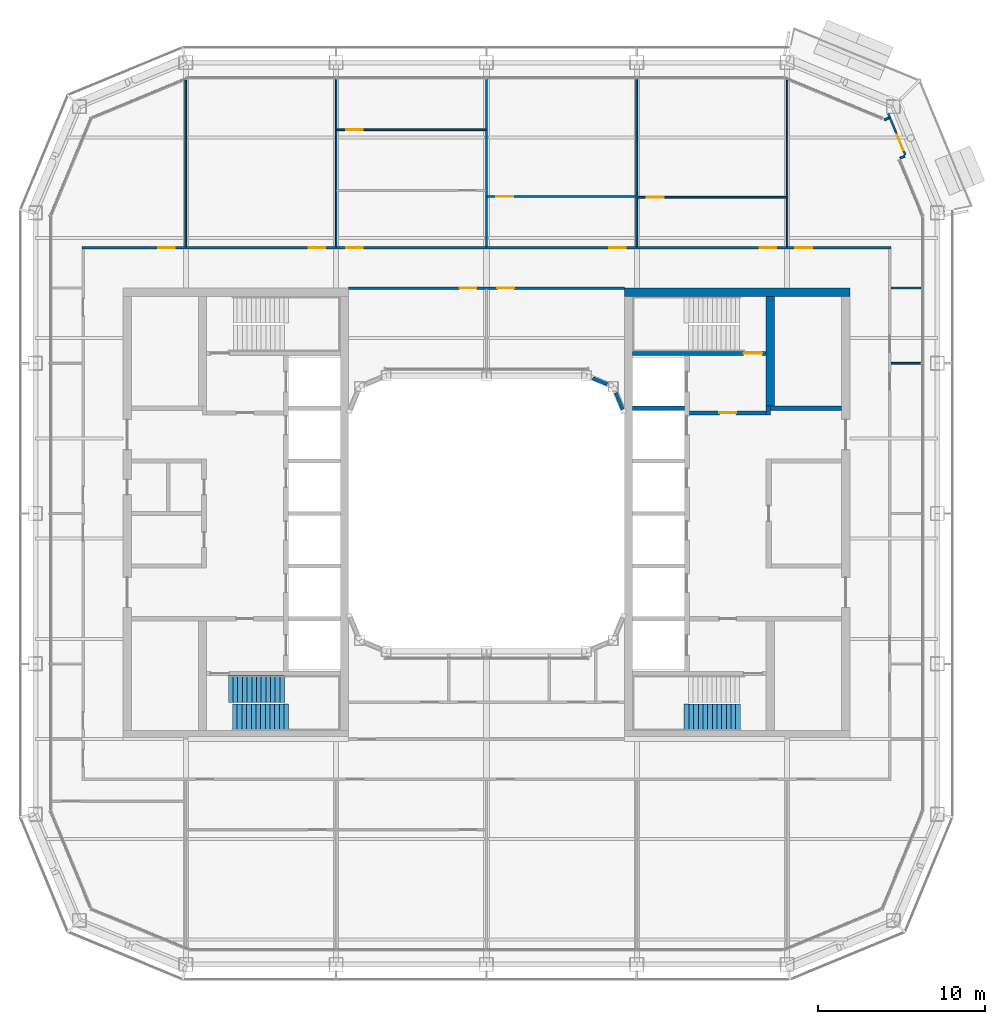
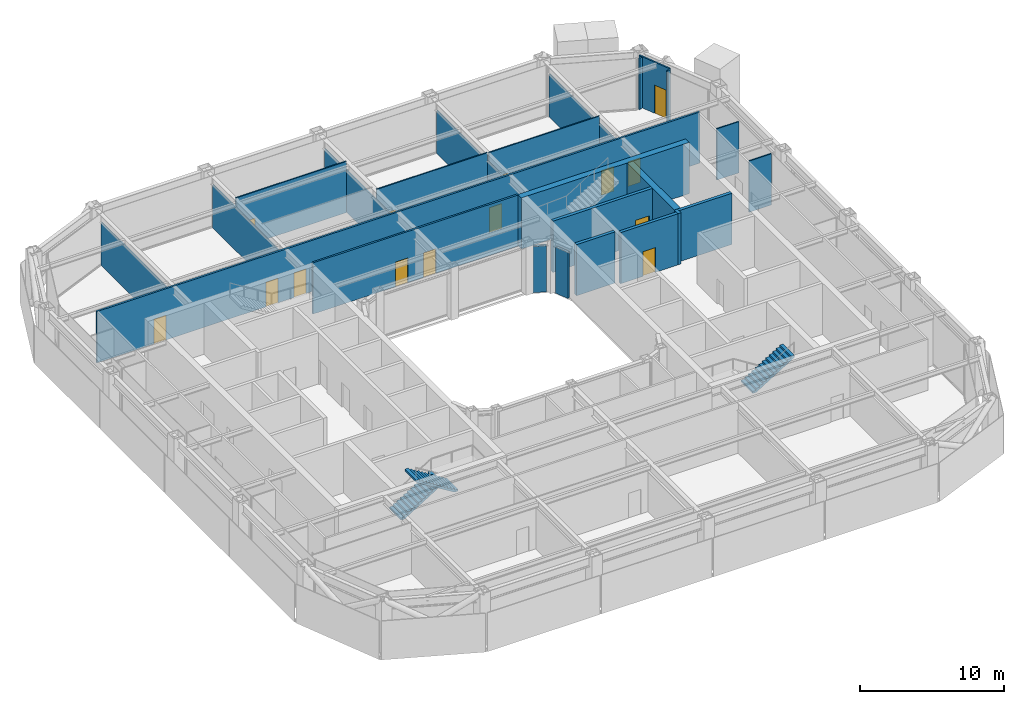
# One storey, part 15 of 23: 24 walls, 14 doors, 3 stair flights, 14 openings, 2 elements without a shape of their own.
"""IFC4 building model written with IfcOpenShell, lengths in metres."""

from ifc_helpers import new_model, si_unit, direction, frame, frame_2d, origin, place, context, subcontext, project, spatial, polyline, rectangle, outline, extrude, material, layer, layer_set, type_object, element, fill, aggregate, save


model = new_model("IFC4")

# Units and contexts
model_context = context("Model", 3, precision=1e-05, world=origin(), true_north=direction((0.0, 1.0)))
body_context = subcontext(model_context, "Body", "Model", "MODEL_VIEW")
ifc_project = project(units=[si_unit("LENGTHUNIT", "METRE"), si_unit("AREAUNIT", "SQUARE_METRE"), si_unit("VOLUMEUNIT", "CUBIC_METRE"), si_unit("PLANEANGLEUNIT", "RADIAN"), si_unit("MASSUNIT", "GRAM", prefix="KILO")], contexts=[model_context])

# Site, building, storey
site_placement = place(None, origin())
site = spatial("IfcSite", under=ifc_project, at=site_placement, CompositionType="ELEMENT")
building_placement = place(site_placement, origin())
building = spatial("IfcBuilding", under=site, at=building_placement, Name="Siwar Civic Tower", CompositionType="ELEMENT")
storey_placement = place(building_placement, frame((0.0, 0.0, 206.199951171875)))
storey = spatial("IfcBuildingStorey", under=building, at=storey_placement, Name="L44", CompositionType="ELEMENT", Elevation=206.199951171875)

# Wall, opening, door
ifc_material_1 = material(Name="Concrete C60/75", Category="concrete")
ifc_layer_1 = layer(ifc_material_1, 0.25)
ifc_layer_set_1 = layer_set([ifc_layer_1], Name="Concrete C60/75")
wall_type_1 = type_object("IfcWallType", Name="CORE-WALL-RC250", PredefinedType="SHEAR", material=ifc_layer_set_1)
wall_1_placement = place(storey_placement, frame((12.14990234375, 6.02490234375, 0.0), z_axis=(0.0, 0.0, 1.0), x_axis=(1.0, 0.0, 0.0)))
wall_1 = element("IfcWall", 1, at=wall_1_placement, inside=storey, type_object=wall_type_1, Name="Core wall E", PredefinedType="SHEAR", context=body_context, shape_type="SweptSolid", body=[
    extrude(rectangle(XDim=4.60009765625, YDim=0.25, at=frame_2d((2.300048828125, 0.0))), origin(), (0.0, 0.0, 1.0), 4.35009765625),
])
opening_1_placement = place(wall_1_placement, frame((1.800048828125, 0.0, 0.0)))
opening_1 = element("IfcOpeningElement", 2, at=opening_1_placement, cuts=wall_1, Name="Opening L44-CE01", PredefinedType="OPENING", context=body_context, shape_type="SweptSolid", body=[
    extrude(rectangle(XDim=1.0, YDim=2.10009765625, at=frame_2d((0.5, 1.050048828125))), frame((0.0, 0.135009765625, 0.0), z_axis=(0.0, -1.0, 0.0), x_axis=(1.0, 0.0, 0.0)), (0.0, 0.0, 1.0), 0.27001953125),
])
ifc_material_2 = material(Name="Steel door leaf", Category="steel")
door_type_1 = type_object("IfcDoorType", Name="CORE-DOOR-FD30S", OperationType="SINGLE_SWING_LEFT", PredefinedType="DOOR", material=ifc_material_2)
door_1_placement = place(opening_1_placement, origin())
door_1 = element("IfcDoor", 3, at=door_1_placement, inside=storey, type_object=door_type_1, Name="Firefighting lobby door L44-CE01", OperationType="SINGLE_SWING_RIGHT", OverallHeight=2.10009765625, OverallWidth=1.0, PredefinedType="DOOR", context=body_context, shape_type="SweptSolid", body=[
    extrude(rectangle(XDim=1.0, YDim=2.10009765625, at=frame_2d((0.5, 1.050048828125))), frame((0.0, 0.02490234375, 0.0), z_axis=(0.0, -1.0, 0.0), x_axis=(1.0, 0.0, 0.0)), (0.0, 0.0, 1.0), 0.050048828125),
])
fill(opening_1, door_1)

# Walls
wall_2_placement = place(storey_placement, frame((16.875, 5.89990234375, 0.0), z_axis=(0.0, 0.0, 1.0), x_axis=(0.0, 1.0, 0.0)))
element("IfcWall", 4, at=wall_2_placement, inside=storey, type_object=wall_type_1, Name="Core wall E", PredefinedType="SHEAR", context=body_context, shape_type="SweptSolid", body=[
    extrude(rectangle(XDim=0.525146484375, YDim=0.25, at=frame_2d((0.2626953125, 0.0))), origin(), (0.0, 0.0, 1.0), 4.35009765625),
])
wall_3_placement = place(storey_placement, frame((17.0, 6.300048828125, 0.0), z_axis=(0.0, 0.0, 1.0), x_axis=(1.0, 0.0, 0.0)))
element("IfcWall", 5, at=wall_3_placement, inside=storey, type_object=wall_type_1, Name="Core wall E", PredefinedType="SHEAR", context=body_context, shape_type="SweptSolid", body=[
    extrude(rectangle(XDim=4.25, YDim=0.25, at=frame_2d((2.125, 0.0))), origin(), (0.0, 0.0, 1.0), 4.35009765625),
])
wall_4_placement = place(storey_placement, frame((8.75, 6.300048828125, 0.0), z_axis=(0.0, 0.0, 1.0), x_axis=(1.0, 0.0, 0.0)))
element("IfcWall", 6, at=wall_4_placement, inside=storey, type_object=wall_type_1, Name="Core wall E", PredefinedType="SHEAR", context=body_context, shape_type="SweptSolid", body=[
    extrude(rectangle(XDim=3.10009765625, YDim=0.25, at=frame_2d((1.550048828125, 0.0))), origin(), (0.0, 0.0, 1.0), 4.35009765625),
])

# Wall, opening, door
wall_5_placement = place(storey_placement, frame((8.75, 9.574951171875, 0.0), z_axis=(0.0, 0.0, 1.0), x_axis=(1.0, 0.0, 0.0)))
wall_5 = element("IfcWall", 7, at=wall_5_placement, inside=storey, type_object=wall_type_1, Name="Core wall E", PredefinedType="SHEAR", context=body_context, shape_type="SweptSolid", body=[
    extrude(rectangle(XDim=8.0, YDim=0.25, at=frame_2d((4.0, 0.0))), origin(), (0.0, 0.0, 1.0), 4.35009765625),
])
opening_2_placement = place(wall_5_placement, frame((6.64990234375, 0.0, 0.0)))
opening_2 = element("IfcOpeningElement", 8, at=opening_2_placement, cuts=wall_5, Name="Opening L44-CE03", PredefinedType="OPENING", context=body_context, shape_type="SweptSolid", body=[
    extrude(rectangle(XDim=1.10009765625, YDim=2.10009765625, at=frame_2d((0.550048828125, 1.050048828125))), frame((0.0, 0.135009765625, 0.0), z_axis=(0.0, -1.0, 0.0), x_axis=(1.0, 0.0, 0.0)), (0.0, 0.0, 1.0), 0.27001953125),
])
ifc_material_3 = material(Name="Steel door leaf", Category="steel")
door_type_2 = type_object("IfcDoorType", Name="CORE-DOOR-FD60S", OperationType="SINGLE_SWING_LEFT", PredefinedType="DOOR", material=ifc_material_3)
door_2_placement = place(opening_2_placement, origin())
door_2 = element("IfcDoor", 9, at=door_2_placement, inside=storey, type_object=door_type_2, Name="Stair door L44-CE03", OperationType="SINGLE_SWING_LEFT", OverallHeight=2.10009765625, OverallWidth=1.10009765625, PredefinedType="DOOR", context=body_context, shape_type="SweptSolid", body=[
    extrude(rectangle(XDim=1.10009765625, YDim=2.10009765625, at=frame_2d((0.550048828125, 1.050048828125))), frame((0.0, 0.02490234375, 0.0), z_axis=(0.0, -1.0, 0.0), x_axis=(1.0, 0.0, 0.0)), (0.0, 0.0, 1.0), 0.050048828125),
])
fill(opening_2, door_2)

# Walls
ifc_material_4 = material(Name="Concrete C60/75", Category="concrete")
ifc_layer_2 = layer(ifc_material_4, 0.5)
ifc_layer_set_2 = layer_set([ifc_layer_2], Name="Concrete C60/75")
wall_type_2 = type_object("IfcWallType", Name="CORE-WALL-RC500", PredefinedType="SHEAR", material=ifc_layer_set_2)
wall_6_placement = place(storey_placement, frame((17.0, 6.425048828125, 0.0), z_axis=(0.0, 0.0, 1.0), x_axis=(0.0, 1.0, 0.0)))
element("IfcWall", 10, at=wall_6_placement, inside=storey, type_object=wall_type_2, Name="Core wall E", PredefinedType="SHEAR", context=body_context, shape_type="SweptSolid", body=[
    extrude(rectangle(XDim=6.574951171875, YDim=0.5, at=frame_2d((3.28759765625, 0.0))), origin(), (0.0, 0.0, 1.0), 4.35009765625),
])
wall_7_placement = place(storey_placement, frame((8.25, 13.25, 0.0), z_axis=(0.0, 0.0, 1.0), x_axis=(1.0, 0.0, 0.0)))
element("IfcWall", 11, at=wall_7_placement, inside=storey, type_object=wall_type_2, Name="Core wall E", PredefinedType="SHEAR", context=body_context, shape_type="SweptSolid", body=[
    extrude(rectangle(XDim=13.5, YDim=0.5, at=frame_2d((6.75, 0.0))), origin(), (0.0, 0.0, 1.0), 4.35009765625),
])

# Wall, openings, doors
ifc_material_5 = material(Name="Gypsum board on steel studs", Category="steel")
ifc_layer_3 = layer(ifc_material_5, 0.14990234375)
ifc_layer_set_3 = layer_set([ifc_layer_3], Name="Gypsum board on steel studs")
wall_type_3 = type_object("IfcWallType", Name="CORRIDOR PARTITION 150 EI 30", PredefinedType="PARTITIONING", material=ifc_layer_set_3)
wall_8_placement = place(storey_placement, frame((-8.25, 13.5, 0.0), z_axis=(0.0, 0.0, 1.0), x_axis=(1.0, 0.0, 0.0)))
wall_8 = element("IfcWall", 12, at=wall_8_placement, inside=storey, type_object=wall_type_3, Name="L44/wall/P17", PredefinedType="PARTITIONING", context=body_context, shape_type="SweptSolid", body=[
    extrude(rectangle(XDim=16.5, YDim=0.14990234375, at=frame_2d((8.25, 0.0))), origin(), (0.0, 0.0, 1.0), 4.35009765625),
])
opening_3_placement = place(wall_8_placement, frame((6.64990234375, 0.0, 0.0)))
opening_3 = element("IfcOpeningElement", 13, at=opening_3_placement, cuts=wall_8, Name="Opening D1", PredefinedType="OPENING", context=body_context, shape_type="SweptSolid", body=[
    extrude(rectangle(XDim=1.0, YDim=2.10009765625, at=frame_2d((0.5, 1.050048828125))), frame((0.0, 0.0849609375, 0.0), z_axis=(0.0, -1.0, 0.0), x_axis=(1.0, 0.0, 0.0)), (0.0, 0.0, 1.0), 0.169921875),
])
opening_4_placement = place(wall_8_placement, frame((8.89990234375, 0.0, 0.0)))
opening_4 = element("IfcOpeningElement", 14, at=opening_4_placement, cuts=wall_8, Name="Opening D1", PredefinedType="OPENING", context=body_context, shape_type="SweptSolid", body=[
    extrude(rectangle(XDim=1.0, YDim=2.10009765625, at=frame_2d((0.5, 1.050048828125))), frame((0.0, 0.0849609375, 0.0), z_axis=(0.0, -1.0, 0.0), x_axis=(1.0, 0.0, 0.0)), (0.0, 0.0, 1.0), 0.169921875),
])
ifc_material_6 = material(Name="Timber, painted", Category="wood")
door_type_3 = type_object("IfcDoorType", Name="DOOR 1000 X 2100 FD30", OperationType="SINGLE_SWING_LEFT", PredefinedType="DOOR", material=ifc_material_6)
door_3_placement = place(opening_3_placement, origin())
door_3 = element("IfcDoor", 15, at=door_3_placement, inside=storey, type_object=door_type_3, Name="L44-D28", OperationType="SINGLE_SWING_RIGHT", OverallHeight=2.10009765625, OverallWidth=1.0, PredefinedType="DOOR", context=body_context, shape_type="SweptSolid", body=[
    extrude(rectangle(XDim=1.0, YDim=2.10009765625, at=frame_2d((0.5, 1.050048828125))), frame((0.0, 0.02490234375, 0.0), z_axis=(0.0, -1.0, 0.0), x_axis=(1.0, 0.0, 0.0)), (0.0, 0.0, 1.0), 0.050048828125),
])
fill(opening_3, door_3)
door_4_placement = place(opening_4_placement, origin())
door_4 = element("IfcDoor", 16, at=door_4_placement, inside=storey, type_object=door_type_3, Name="L44-D29", OperationType="SINGLE_SWING_LEFT", OverallHeight=2.10009765625, OverallWidth=1.0, PredefinedType="DOOR", context=body_context, shape_type="SweptSolid", body=[
    extrude(rectangle(XDim=1.0, YDim=2.10009765625, at=frame_2d((0.5, 1.050048828125))), frame((0.0, 0.02490234375, 0.0), z_axis=(0.0, -1.0, 0.0), x_axis=(1.0, 0.0, 0.0)), (0.0, 0.0, 1.0), 0.050048828125),
])
fill(opening_4, door_4)

wall_9_placement = place(storey_placement, frame((-24.22509765625, 15.89990234375, 0.0), z_axis=(0.0, 0.0, 1.0), x_axis=(1.0, 0.0, 0.0)))
wall_9 = element("IfcWall", 17, at=wall_9_placement, inside=storey, type_object=wall_type_3, Name="L44/wall/P18", PredefinedType="PARTITIONING", context=body_context, shape_type="SweptSolid", body=[
    extrude(rectangle(XDim=48.4501953125, YDim=0.14990234375, at=frame_2d((24.22509765625, 0.0))), origin(), (0.0, 0.0, 1.0), 4.35009765625),
])
opening_5_placement = place(wall_9_placement, frame((13.574951171875, 0.0, 0.0)))
opening_5 = element("IfcOpeningElement", 18, at=opening_5_placement, cuts=wall_9, Name="Opening D1", PredefinedType="OPENING", context=body_context, shape_type="SweptSolid", body=[
    extrude(rectangle(XDim=1.0, YDim=2.10009765625, at=frame_2d((0.5, 1.050048828125))), frame((0.0, 0.0849609375, 0.0), z_axis=(0.0, -1.0, 0.0), x_axis=(1.0, 0.0, 0.0)), (0.0, 0.0, 1.0), 0.169921875),
])
opening_6_placement = place(wall_9_placement, frame((15.824951171875, 0.0, 0.0)))
opening_6 = element("IfcOpeningElement", 19, at=opening_6_placement, cuts=wall_9, Name="Opening D1", PredefinedType="OPENING", context=body_context, shape_type="SweptSolid", body=[
    extrude(rectangle(XDim=1.0, YDim=2.10009765625, at=frame_2d((0.5, 1.050048828125))), frame((0.0, 0.0849609375, 0.0), z_axis=(0.0, -1.0, 0.0), x_axis=(1.0, 0.0, 0.0)), (0.0, 0.0, 1.0), 0.169921875),
])
opening_7_placement = place(wall_9_placement, frame((31.574951171875, 0.0, 0.0)))
opening_7 = element("IfcOpeningElement", 20, at=opening_7_placement, cuts=wall_9, Name="Opening D1", PredefinedType="OPENING", context=body_context, shape_type="SweptSolid", body=[
    extrude(rectangle(XDim=1.0, YDim=2.10009765625, at=frame_2d((0.5, 1.050048828125))), frame((0.0, 0.0849609375, 0.0), z_axis=(0.0, -1.0, 0.0), x_axis=(1.0, 0.0, 0.0)), (0.0, 0.0, 1.0), 0.169921875),
])
opening_8_placement = place(wall_9_placement, frame((40.574951171875, 0.0, 0.0)))
opening_8 = element("IfcOpeningElement", 21, at=opening_8_placement, cuts=wall_9, Name="Opening D1", PredefinedType="OPENING", context=body_context, shape_type="SweptSolid", body=[
    extrude(rectangle(XDim=1.0, YDim=2.10009765625, at=frame_2d((0.5, 1.050048828125))), frame((0.0, 0.0849609375, 0.0), z_axis=(0.0, -1.0, 0.0), x_axis=(1.0, 0.0, 0.0)), (0.0, 0.0, 1.0), 0.169921875),
])
opening_9_placement = place(wall_9_placement, frame((4.574951171875, 0.0, 0.0)))
opening_9 = element("IfcOpeningElement", 22, at=opening_9_placement, cuts=wall_9, Name="Opening D1", PredefinedType="OPENING", context=body_context, shape_type="SweptSolid", body=[
    extrude(rectangle(XDim=1.0, YDim=2.10009765625, at=frame_2d((0.5, 1.050048828125))), frame((0.0, 0.0849609375, 0.0), z_axis=(0.0, -1.0, 0.0), x_axis=(1.0, 0.0, 0.0)), (0.0, 0.0, 1.0), 0.169921875),
])
opening_10_placement = place(wall_9_placement, frame((42.72509765625, 0.0, 0.0)))
opening_10 = element("IfcOpeningElement", 23, at=opening_10_placement, cuts=wall_9, Name="Opening D1", PredefinedType="OPENING", context=body_context, shape_type="SweptSolid", body=[
    extrude(rectangle(XDim=1.0, YDim=2.10009765625, at=frame_2d((0.5, 1.050048828125))), frame((0.0, 0.0849609375, 0.0), z_axis=(0.0, -1.0, 0.0), x_axis=(1.0, 0.0, 0.0)), (0.0, 0.0, 1.0), 0.169921875),
])
door_5_placement = place(opening_5_placement, origin())
door_5 = element("IfcDoor", 24, at=door_5_placement, inside=storey, type_object=door_type_3, Name="L44-D01", OperationType="SINGLE_SWING_LEFT", OverallHeight=2.10009765625, OverallWidth=1.0, PredefinedType="DOOR", context=body_context, shape_type="SweptSolid", body=[
    extrude(rectangle(XDim=1.0, YDim=2.10009765625, at=frame_2d((0.5, 1.050048828125))), frame((0.0, 0.02490234375, 0.0), z_axis=(0.0, -1.0, 0.0), x_axis=(1.0, 0.0, 0.0)), (0.0, 0.0, 1.0), 0.050048828125),
])
fill(opening_5, door_5)
door_6_placement = place(opening_6_placement, origin())
door_6 = element("IfcDoor", 25, at=door_6_placement, inside=storey, type_object=door_type_3, Name="L44-D02", OperationType="SINGLE_SWING_RIGHT", OverallHeight=2.10009765625, OverallWidth=1.0, PredefinedType="DOOR", context=body_context, shape_type="SweptSolid", body=[
    extrude(rectangle(XDim=1.0, YDim=2.10009765625, at=frame_2d((0.5, 1.050048828125))), frame((0.0, 0.02490234375, 0.0), z_axis=(0.0, -1.0, 0.0), x_axis=(1.0, 0.0, 0.0)), (0.0, 0.0, 1.0), 0.050048828125),
])
fill(opening_6, door_6)
door_7_placement = place(opening_7_placement, origin())
door_7 = element("IfcDoor", 26, at=door_7_placement, inside=storey, type_object=door_type_3, Name="L44-D05", OperationType="SINGLE_SWING_LEFT", OverallHeight=2.10009765625, OverallWidth=1.0, PredefinedType="DOOR", context=body_context, shape_type="SweptSolid", body=[
    extrude(rectangle(XDim=1.0, YDim=2.10009765625, at=frame_2d((0.5, 1.050048828125))), frame((0.0, 0.02490234375, 0.0), z_axis=(0.0, -1.0, 0.0), x_axis=(1.0, 0.0, 0.0)), (0.0, 0.0, 1.0), 0.050048828125),
])
fill(opening_7, door_7)
door_8_placement = place(opening_8_placement, origin())
door_8 = element("IfcDoor", 27, at=door_8_placement, inside=storey, type_object=door_type_3, Name="L44-D07", OperationType="SINGLE_SWING_LEFT", OverallHeight=2.10009765625, OverallWidth=1.0, PredefinedType="DOOR", context=body_context, shape_type="SweptSolid", body=[
    extrude(rectangle(XDim=1.0, YDim=2.10009765625, at=frame_2d((0.5, 1.050048828125))), frame((0.0, 0.02490234375, 0.0), z_axis=(0.0, -1.0, 0.0), x_axis=(1.0, 0.0, 0.0)), (0.0, 0.0, 1.0), 0.050048828125),
])
fill(opening_8, door_8)
door_9_placement = place(opening_9_placement, origin())
door_9 = element("IfcDoor", 28, at=door_9_placement, inside=storey, type_object=door_type_3, Name="L44-D15", OperationType="SINGLE_SWING_LEFT", OverallHeight=2.10009765625, OverallWidth=1.0, PredefinedType="DOOR", context=body_context, shape_type="SweptSolid", body=[
    extrude(rectangle(XDim=1.0, YDim=2.10009765625, at=frame_2d((0.5, 1.050048828125))), frame((0.0, 0.02490234375, 0.0), z_axis=(0.0, -1.0, 0.0), x_axis=(1.0, 0.0, 0.0)), (0.0, 0.0, 1.0), 0.050048828125),
])
fill(opening_9, door_9)
door_10_placement = place(opening_10_placement, origin())
door_10 = element("IfcDoor", 29, at=door_10_placement, inside=storey, type_object=door_type_3, Name="L44-D16", OperationType="SINGLE_SWING_RIGHT", OverallHeight=2.10009765625, OverallWidth=1.0, PredefinedType="DOOR", context=body_context, shape_type="SweptSolid", body=[
    extrude(rectangle(XDim=1.0, YDim=2.10009765625, at=frame_2d((0.5, 1.050048828125))), frame((0.0, 0.02490234375, 0.0), z_axis=(0.0, -1.0, 0.0), x_axis=(1.0, 0.0, 0.0)), (0.0, 0.0, 1.0), 0.050048828125),
])
fill(opening_10, door_10)

# Walls
ifc_material_7 = material(Name="Aluminium clad insulated panel", Category="aluminium")
ifc_layer_4 = layer(ifc_material_7, 0.1201171875)
ifc_layer_set_4 = layer_set([ifc_layer_4], Name="Aluminium clad insulated panel")
wall_type_4 = type_object("IfcWallType", Name="ENV-WALL-BAL", PredefinedType="STANDARD", material=ifc_layer_set_4)
wall_10_placement = place(storey_placement, frame((24.766357421875, 21.27587890625, 0.0), z_axis=(0.0, 0.0, 1.0), x_axis=(0.923917630863, 0.382591441855, 0.0)))
element("IfcWall", 30, at=wall_10_placement, inside=storey, type_object=wall_type_4, Name="Balcony door wall return NE1", PredefinedType="STANDARD", context=body_context, shape_type="SweptSolid", body=[
    extrude(rectangle(XDim=0.2998046875, YDim=0.1201171875, at=frame_2d((0.14990234375, 0.0))), origin(), (0.0, 0.0, 1.0), 4.35009765625),
])
wall_11_placement = place(storey_placement, frame((23.817626953125, 23.56640625, 0.0), z_axis=(0.0, 0.0, 1.0), x_axis=(0.923629715641, 0.383285987724, 0.0)))
element("IfcWall", 31, at=wall_11_placement, inside=storey, type_object=wall_type_4, Name="Balcony door wall return NE1", PredefinedType="STANDARD", context=body_context, shape_type="SweptSolid", body=[
    extrude(rectangle(XDim=0.300048828125, YDim=0.1201171875, at=frame_2d((0.14990234375, 0.0))), origin(), (0.0, 0.0, 1.0), 4.35009765625),
])

# Wall, opening, door
wall_12_placement = place(storey_placement, frame((25.075927734375, 21.468994140625, 0.0), z_axis=(0.0, 0.0, 1.0), x_axis=(-0.382636771556, 0.923898858671, 0.0)))
wall_12 = element("IfcWall", 32, at=wall_12_placement, inside=storey, type_object=wall_type_4, Name="Balcony door wall NE1", PredefinedType="STANDARD", context=body_context, shape_type="SweptSolid", body=[
    extrude(rectangle(XDim=2.67333984375, YDim=0.1201171875, at=frame_2d((1.336669921875, 0.0))), origin(), (0.0, 0.0, 1.0), 4.35009765625),
])
opening_11_placement = place(wall_12_placement, frame((0.300048828125, 0.0, 0.0)))
opening_11 = element("IfcOpeningElement", 33, at=opening_11_placement, cuts=wall_12, Name="Opening D-BAL", PredefinedType="OPENING", context=body_context, shape_type="SweptSolid", body=[
    extrude(rectangle(XDim=1.0, YDim=2.39990234375, at=frame_2d((0.5, 1.199951171875))), frame((0.0, 0.070068359375, 0.0), z_axis=(0.0, -1.0, 0.0), x_axis=(1.0, 0.0, 0.0)), (0.0, 0.0, 1.0), 0.14013671875),
])
ifc_material_8 = material(Name="Aluminium and glass", Category="aluminium")
door_type_4 = type_object("IfcDoorType", Name="ENV-DOOR-BAL", OperationType="SINGLE_SWING_LEFT", PredefinedType="DOOR", material=ifc_material_8)
door_11_placement = place(opening_11_placement, origin())
door_11 = element("IfcDoor", 34, at=door_11_placement, inside=storey, type_object=door_type_4, Name="Balcony door NE", OperationType="SINGLE_SWING_LEFT", OverallHeight=2.39990234375, OverallWidth=1.0, PredefinedType="DOOR", context=body_context, shape_type="SweptSolid", body=[
    extrude(rectangle(XDim=1.0, YDim=2.39990234375, at=frame_2d((0.5, 1.199951171875))), frame((0.0, 0.02490234375, 0.0), z_axis=(0.0, -1.0, 0.0), x_axis=(1.0, 0.0, 0.0)), (0.0, 0.0, 1.0), 0.050048828125),
])
fill(opening_11, door_11)

# Walls
ifc_material_9 = material(Name="Aluminium clad insulated panel", Category="aluminium")
ifc_layer_5 = layer(ifc_material_9, 0.199951171875)
ifc_layer_set_5 = layer_set([ifc_layer_5], Name="Aluminium clad insulated panel")
wall_type_5 = type_object("IfcWallType", Name="ENV-WALL-WELL", PredefinedType="STANDARD", material=ifc_layer_set_5)
wall_13_placement = place(storey_placement, frame((8.154296875, 6.23095703125, 0.0), z_axis=(0.0, 0.0, 1.0), x_axis=(-0.382704496366, 0.923870807235, 0.0)))
element("IfcWall", 35, at=wall_13_placement, inside=storey, type_object=wall_type_5, Name="Light well corner wall NE1", PredefinedType="STANDARD", context=body_context, shape_type="SweptSolid", body=[
    extrude(rectangle(XDim=1.080078125, YDim=0.199951171875, at=frame_2d((0.5400390625, 0.0))), origin(), (0.0, 0.0, 1.0), 3.91796875),
])
wall_14_placement = place(storey_placement, frame((7.228759765625, 7.740966796875, 0.0), z_axis=(0.0, 0.0, 1.0), x_axis=(-0.923829670615, 0.382803787458, 0.0)))
element("IfcWall", 36, at=wall_14_placement, inside=storey, type_object=wall_type_5, Name="Light well corner wall NE2", PredefinedType="STANDARD", context=body_context, shape_type="SweptSolid", body=[
    extrude(rectangle(XDim=0.938232421875, YDim=0.199951171875, at=frame_2d((0.46923828125, 0.0))), origin(), (0.0, 0.0, 1.0), 3.91796875),
])
ifc_material_10 = material(Name="Gypsum board on steel studs", Category="steel")
ifc_layer_6 = layer(ifc_material_10, 0.10009765625)
ifc_layer_set_6 = layer_set([ifc_layer_6], Name="Gypsum board on steel studs")
wall_type_6 = type_object("IfcWallType", Name="PARTITION 100 GYPSUM", PredefinedType="PARTITIONING", material=ifc_layer_set_6)
for number, where, z_axis, x_axis, name in (
    (37, (24.22509765625, 9.0, 0.0), (0.0, 0.0, 1.0), (1.0, 0.0, 0.0), "L44/wall/P14"),
    (38, (24.22509765625, 13.5, 0.0), (0.0, 0.0, 1.0), (1.0, 0.0, 0.0), "L44/wall/P16"),
):
    element("IfcWall", number, at=place(storey_placement, frame(where, z_axis=z_axis, x_axis=x_axis)), inside=storey, type_object=wall_type_6, Name=name, PredefinedType="PARTITIONING", context=body_context, shape_type="SweptSolid", body=[
        extrude(rectangle(XDim=1.784912109375, YDim=0.10009765625, at=frame_2d((0.892578125, 0.0))), origin(), (0.0, 0.0, 1.0), 4.35009765625),
    ])

# Wall, opening, door
wall_15_placement = place(storey_placement, frame((9.050048828125, 18.93310546875, 0.0), z_axis=(0.0, 0.0, 1.0), x_axis=(1.0, 0.0, 0.0)))
wall_15 = element("IfcWall", 39, at=wall_15_placement, inside=storey, type_object=wall_type_6, Name="L44/wall/P19", PredefinedType="PARTITIONING", context=body_context, shape_type="SweptSolid", body=[
    extrude(rectangle(XDim=8.89990234375, YDim=0.10009765625, at=frame_2d((4.449951171875, 0.0))), origin(), (0.0, 0.0, 1.0), 4.35009765625),
])
opening_12_placement = place(wall_15_placement, frame((0.550048828125, 0.0, 0.0)))
opening_12 = element("IfcOpeningElement", 40, at=opening_12_placement, cuts=wall_15, Name="Opening D2", PredefinedType="OPENING", context=body_context, shape_type="SweptSolid", body=[
    extrude(rectangle(XDim=1.0, YDim=2.10009765625, at=frame_2d((0.5, 1.050048828125))), frame((0.0, 0.06005859375, 0.0), z_axis=(0.0, -1.0, 0.0), x_axis=(1.0, 0.0, 0.0)), (0.0, 0.0, 1.0), 0.1201171875),
])
ifc_material_11 = material(Name="Timber, painted", Category="wood")
door_type_5 = type_object("IfcDoorType", Name="DOOR 1000 X 2100", OperationType="SINGLE_SWING_LEFT", PredefinedType="DOOR", material=ifc_material_11)
door_12_placement = place(opening_12_placement, origin())
door_12 = element("IfcDoor", 41, at=door_12_placement, inside=storey, type_object=door_type_5, Name="L44-D08", OperationType="SINGLE_SWING_RIGHT", OverallHeight=2.10009765625, OverallWidth=1.0, PredefinedType="DOOR", context=body_context, shape_type="SweptSolid", body=[
    extrude(rectangle(XDim=1.0, YDim=2.10009765625, at=frame_2d((0.5, 1.050048828125))), frame((0.0, 0.02490234375, 0.0), z_axis=(0.0, -1.0, 0.0), x_axis=(1.0, 0.0, 0.0)), (0.0, 0.0, 1.0), 0.050048828125),
])
fill(opening_12, door_12)

wall_16_placement = place(storey_placement, frame((0.050048828125, 18.97998046875, 0.0), z_axis=(0.0, 0.0, 1.0), x_axis=(1.0, 0.0, 0.0)))
wall_16 = element("IfcWall", 42, at=wall_16_placement, inside=storey, type_object=wall_type_6, Name="L44/wall/P20", PredefinedType="PARTITIONING", context=body_context, shape_type="SweptSolid", body=[
    extrude(rectangle(XDim=8.89990234375, YDim=0.10009765625, at=frame_2d((4.449951171875, 0.0))), origin(), (0.0, 0.0, 1.0), 4.35009765625),
])
opening_13_placement = place(wall_16_placement, frame((0.550048828125, 0.0, 0.0)))
opening_13 = element("IfcOpeningElement", 43, at=opening_13_placement, cuts=wall_16, Name="Opening D2", PredefinedType="OPENING", context=body_context, shape_type="SweptSolid", body=[
    extrude(rectangle(XDim=1.0, YDim=2.10009765625, at=frame_2d((0.5, 1.050048828125))), frame((0.0, 0.06005859375, 0.0), z_axis=(0.0, -1.0, 0.0), x_axis=(1.0, 0.0, 0.0)), (0.0, 0.0, 1.0), 0.1201171875),
])
door_13_placement = place(opening_13_placement, origin())
door_13 = element("IfcDoor", 44, at=door_13_placement, inside=storey, type_object=door_type_5, Name="L44-D06", OperationType="SINGLE_SWING_RIGHT", OverallHeight=2.10009765625, OverallWidth=1.0, PredefinedType="DOOR", context=body_context, shape_type="SweptSolid", body=[
    extrude(rectangle(XDim=1.0, YDim=2.10009765625, at=frame_2d((0.5, 1.050048828125))), frame((0.0, 0.02490234375, 0.0), z_axis=(0.0, -1.0, 0.0), x_axis=(1.0, 0.0, 0.0)), (0.0, 0.0, 1.0), 0.050048828125),
])
fill(opening_13, door_13)

wall_17_placement = place(storey_placement, frame((-8.949951171875, 22.97705078125, 0.0), z_axis=(0.0, 0.0, 1.0), x_axis=(1.0, 0.0, 0.0)))
wall_17 = element("IfcWall", 45, at=wall_17_placement, inside=storey, type_object=wall_type_6, Name="L44/wall/P22", PredefinedType="PARTITIONING", context=body_context, shape_type="SweptSolid", body=[
    extrude(rectangle(XDim=8.89990234375, YDim=0.10009765625, at=frame_2d((4.449951171875, 0.0))), origin(), (0.0, 0.0, 1.0), 4.35009765625),
])
opening_14_placement = place(wall_17_placement, frame((0.550048828125, 0.0, 0.0)))
opening_14 = element("IfcOpeningElement", 46, at=opening_14_placement, cuts=wall_17, Name="Opening D2", PredefinedType="OPENING", context=body_context, shape_type="SweptSolid", body=[
    extrude(rectangle(XDim=1.0, YDim=2.10009765625, at=frame_2d((0.5, 1.050048828125))), frame((0.0, 0.06005859375, 0.0), z_axis=(0.0, -1.0, 0.0), x_axis=(1.0, 0.0, 0.0)), (0.0, 0.0, 1.0), 0.1201171875),
])
door_14_placement = place(opening_14_placement, origin())
door_14 = element("IfcDoor", 47, at=door_14_placement, inside=storey, type_object=door_type_5, Name="L44-D04", OperationType="SINGLE_SWING_RIGHT", OverallHeight=2.10009765625, OverallWidth=1.0, PredefinedType="DOOR", context=body_context, shape_type="SweptSolid", body=[
    extrude(rectangle(XDim=1.0, YDim=2.10009765625, at=frame_2d((0.5, 1.050048828125))), frame((0.0, 0.02490234375, 0.0), z_axis=(0.0, -1.0, 0.0), x_axis=(1.0, 0.0, 0.0)), (0.0, 0.0, 1.0), 0.050048828125),
])
fill(opening_14, door_14)

# Walls
wall_18_placement = place(storey_placement, frame((-18.0, 15.97509765625, 0.0), z_axis=(0.0, 0.0, 1.0), x_axis=(0.0, 1.0, 0.0)))
element("IfcWall", 48, at=wall_18_placement, inside=storey, type_object=wall_type_6, Name="L44/wall/P25", PredefinedType="PARTITIONING", context=body_context, shape_type="SweptSolid", body=[
    extrude(rectangle(XDim=9.952880859375, YDim=0.10009765625, at=frame_2d((4.9765625, 0.0))), origin(), (0.0, 0.0, 1.0), 3.650146484375),
])
wall_19_placement = place(storey_placement, frame((-9.0, 15.97509765625, 0.0), z_axis=(0.0, 0.0, 1.0), x_axis=(0.0, 1.0, 0.0)))
element("IfcWall", 49, at=wall_19_placement, inside=storey, type_object=wall_type_6, Name="L44/wall/P28", PredefinedType="PARTITIONING", context=body_context, shape_type="SweptSolid", body=[
    extrude(rectangle(XDim=10.034912109375, YDim=0.10009765625, at=frame_2d((5.017578125, 0.0))), origin(), (0.0, 0.0, 1.0), 3.650146484375),
])
wall_20_placement = place(storey_placement, frame((0.0, 15.97509765625, 0.0), z_axis=(0.0, 0.0, 1.0), x_axis=(0.0, 1.0, 0.0)))
element("IfcWall", 50, at=wall_20_placement, inside=storey, type_object=wall_type_6, Name="L44/wall/P32", PredefinedType="PARTITIONING", context=body_context, shape_type="SweptSolid", body=[
    extrude(rectangle(XDim=10.034912109375, YDim=0.10009765625, at=frame_2d((5.017578125, 0.0))), origin(), (0.0, 0.0, 1.0), 3.550048828125),
])
wall_21_placement = place(storey_placement, frame((9.0, 15.97509765625, 0.0), z_axis=(0.0, 0.0, 1.0), x_axis=(0.0, 1.0, 0.0)))
element("IfcWall", 51, at=wall_21_placement, inside=storey, type_object=wall_type_6, Name="L44/wall/P36", PredefinedType="PARTITIONING", context=body_context, shape_type="SweptSolid", body=[
    extrude(rectangle(XDim=10.034912109375, YDim=0.10009765625, at=frame_2d((5.017578125, 0.0))), origin(), (0.0, 0.0, 1.0), 3.650146484375),
])
wall_22_placement = place(storey_placement, frame((18.0, 15.97509765625, 0.0), z_axis=(0.0, 0.0, 1.0), x_axis=(0.0, 1.0, 0.0)))
element("IfcWall", 52, at=wall_22_placement, inside=storey, type_object=wall_type_6, Name="L44/wall/P38", PredefinedType="PARTITIONING", context=body_context, shape_type="SweptSolid", body=[
    extrude(rectangle(XDim=9.952880859375, YDim=0.10009765625, at=frame_2d((4.9765625, 0.0))), origin(), (0.0, 0.0, 1.0), 3.650146484375),
])

# Stair, stair flights
ifc_material_12 = material(Name="Concrete C40/50", Category="concrete")
stair_type = type_object("IfcStairType", Name="CORE-STAIR", PredefinedType="TWO_STRAIGHT_RUN_STAIR", material=ifc_material_12)
stair_1_placement = place(storey_placement, origin())
stair_1 = element("IfcStair", 53, at=stair_1_placement, inside=storey, type_object=stair_type, Name="Exit stair ST2", PredefinedType="TWO_STRAIGHT_RUN_STAIR")
ifc_material_13 = material(Name="Concrete C40/50", Category="concrete")
stair_flight_type = type_object("IfcStairFlightType", Name="CORE-STAIR-FLIGHT", PredefinedType="STRAIGHT", material=ifc_material_13)
stair_flight_1_placement = place(storey_placement, frame((-15.449951171875, -10.5, 0.0), z_axis=(0.0, 0.0, 1.0), x_axis=(1.0, 0.0, 0.0)))
stair_flight_1 = element("IfcStairFlight", 54, at=stair_flight_1_placement, type_object=stair_flight_type, Name="ST2 flight 1", NumberOfRisers=13, NumberOfTreads=12, PredefinedType="STRAIGHT", RiserHeight=0.173076923, TreadLength=0.28, context=body_context, shape_type="SweptSolid", body=[
    extrude(outline(polyline([(0.0, 0.0), (0.0, 0.173095703125), (0.280029296875, 0.173095703125), (0.280029296875, 0.34619140625), (0.56005859375, 0.34619140625), (0.56005859375, 0.519287109375), (0.840087890625, 0.519287109375), (0.840087890625, 0.6923828125), (1.1201171875, 0.6923828125), (1.1201171875, 0.865478515625), (1.39990234375, 0.865478515625), (1.39990234375, 1.03857421875), (1.679931640625, 1.03857421875), (1.679931640625, 1.21142578125), (1.9599609375, 1.21142578125), (1.9599609375, 1.384521484375), (2.239990234375, 1.384521484375), (2.239990234375, 1.5576171875), (2.52001953125, 1.5576171875), (2.52001953125, 1.730712890625), (2.800048828125, 1.730712890625), (2.800048828125, 1.90380859375), (3.080078125, 1.90380859375), (3.080078125, 2.076904296875), (3.360107421875, 2.076904296875), (3.360107421875, 2.25), (3.360107421875, 1.900634765625), (0.28515625, 0.0), (0.0, 0.0)])), frame((0.0, 0.800048828125, 0.0), z_axis=(0.0, -1.0, 0.0), x_axis=(1.0, 0.0, 0.0)), (0.0, 0.0, 1.0), 1.60009765625),
])
stair_flight_2_placement = place(storey_placement, frame((-11.840087890625, -12.199951171875, 2.25), z_axis=(0.0, 0.0, 1.0), x_axis=(-1.0, 0.0, 0.0)))
stair_flight_2 = element("IfcStairFlight", 55, at=stair_flight_2_placement, type_object=stair_flight_type, Name="ST2 flight 2", NumberOfRisers=13, NumberOfTreads=12, PredefinedType="STRAIGHT", RiserHeight=0.173076923, TreadLength=0.28, context=body_context, shape_type="SweptSolid", body=[
    extrude(outline(polyline([(0.0, 0.0), (0.0, 0.173095703125), (0.280029296875, 0.173095703125), (0.280029296875, 0.34619140625), (0.56005859375, 0.34619140625), (0.56005859375, 0.519287109375), (0.840087890625, 0.519287109375), (0.840087890625, 0.6923828125), (1.1201171875, 0.6923828125), (1.1201171875, 0.865478515625), (1.39990234375, 0.865478515625), (1.39990234375, 1.03857421875), (1.679931640625, 1.03857421875), (1.679931640625, 1.21142578125), (1.9599609375, 1.21142578125), (1.9599609375, 1.384521484375), (2.239990234375, 1.384521484375), (2.239990234375, 1.5576171875), (2.52001953125, 1.5576171875), (2.52001953125, 1.730712890625), (2.800048828125, 1.730712890625), (2.800048828125, 1.90380859375), (3.080078125, 1.90380859375), (3.080078125, 2.076904296875), (3.360107421875, 2.076904296875), (3.360107421875, 2.25), (3.360107421875, 1.900634765625), (0.28515625, 0.0), (0.0, 0.0)])), frame((0.0, 0.800048828125, 0.0), z_axis=(0.0, -1.0, 0.0), x_axis=(1.0, 0.0, 0.0)), (0.0, 0.0, 1.0), 1.60009765625),
])
aggregate(stair_1, [stair_flight_1, stair_flight_2])

# Stair, stair flight
stair_2_placement = place(storey_placement, origin())
stair_2 = element("IfcStair", 56, at=stair_2_placement, inside=storey, type_object=stair_type, Name="Exit stair ST4", PredefinedType="TWO_STRAIGHT_RUN_STAIR")
stair_flight_3_placement = place(storey_placement, frame((11.840087890625, -12.199951171875, 2.25), z_axis=(0.0, 0.0, 1.0), x_axis=(1.0, 0.0, 0.0)))
stair_flight_3 = element("IfcStairFlight", 57, at=stair_flight_3_placement, type_object=stair_flight_type, Name="ST4 flight 2", NumberOfRisers=13, NumberOfTreads=12, PredefinedType="STRAIGHT", RiserHeight=0.173076923, TreadLength=0.28, context=body_context, shape_type="SweptSolid", body=[
    extrude(outline(polyline([(0.0, 0.0), (0.0, 0.173095703125), (0.280029296875, 0.173095703125), (0.280029296875, 0.34619140625), (0.56005859375, 0.34619140625), (0.56005859375, 0.519287109375), (0.840087890625, 0.519287109375), (0.840087890625, 0.6923828125), (1.1201171875, 0.6923828125), (1.1201171875, 0.865478515625), (1.39990234375, 0.865478515625), (1.39990234375, 1.03857421875), (1.679931640625, 1.03857421875), (1.679931640625, 1.21142578125), (1.9599609375, 1.21142578125), (1.9599609375, 1.384521484375), (2.239990234375, 1.384521484375), (2.239990234375, 1.5576171875), (2.52001953125, 1.5576171875), (2.52001953125, 1.730712890625), (2.800048828125, 1.730712890625), (2.800048828125, 1.90380859375), (3.080078125, 1.90380859375), (3.080078125, 2.076904296875), (3.360107421875, 2.076904296875), (3.360107421875, 2.25), (3.360107421875, 1.900634765625), (0.28515625, 0.0), (0.0, 0.0)])), frame((0.0, 0.800048828125, 0.0), z_axis=(0.0, -1.0, 0.0), x_axis=(1.0, 0.0, 0.0)), (0.0, 0.0, 1.0), 1.60009765625),
])
aggregate(stair_2, [stair_flight_3])

save(model, "model.ifc")
